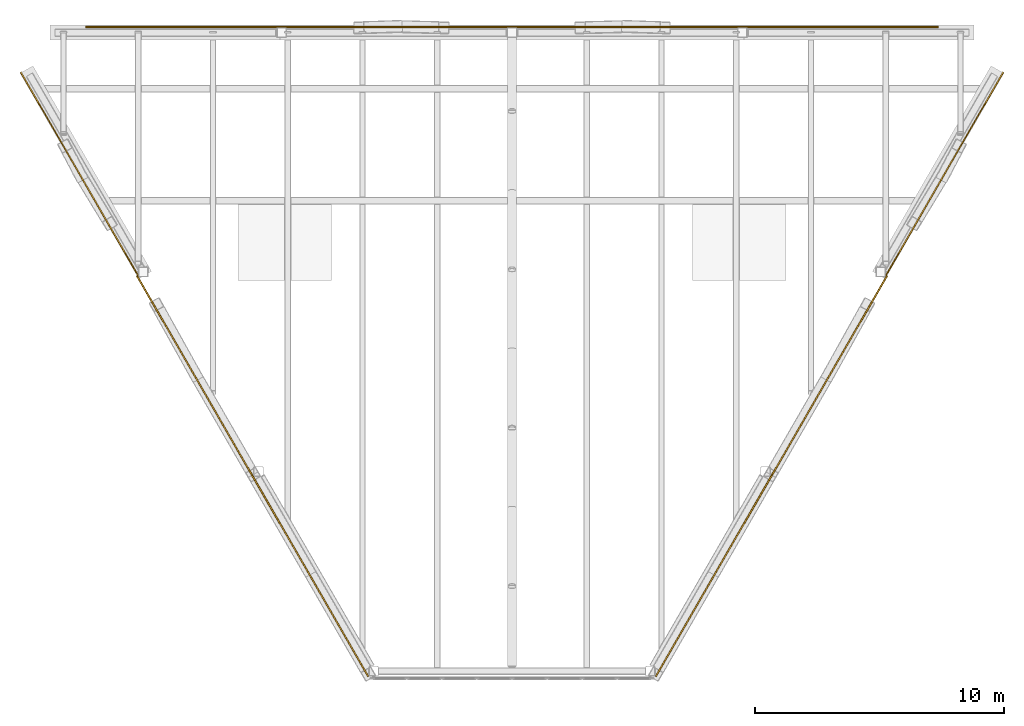
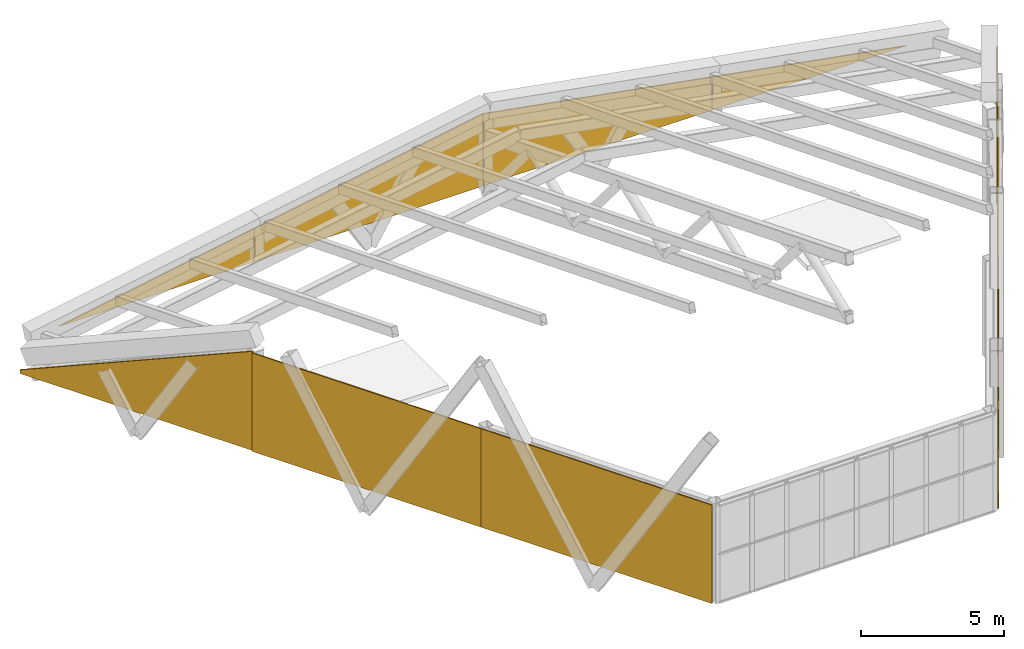
# One storey, part 6 of 6: 10 coverings.
"""IFC4 building model written with IfcOpenShell, lengths in metres."""

from ifc_helpers import new_model, si_unit, direction, frame, origin, place, context, subcontext, project, spatial, polyline, outline, extrude, material, layer, layer_set, type_object, element, save


model = new_model("IFC4")

# Units and contexts
model_context = context("Model", 3, precision=1e-05, world=origin(), true_north=direction((0.0, 1.0)))
body_context = subcontext(model_context, "Body", "Model", "MODEL_VIEW")
ifc_project = project(units=[si_unit("LENGTHUNIT", "METRE"), si_unit("AREAUNIT", "SQUARE_METRE"), si_unit("VOLUMEUNIT", "CUBIC_METRE"), si_unit("PLANEANGLEUNIT", "RADIAN"), si_unit("MASSUNIT", "GRAM", prefix="KILO")], contexts=[model_context])

# Site, building, storey
site_placement = place(None, origin())
site = spatial("IfcSite", under=ifc_project, at=site_placement, CompositionType="ELEMENT")
building_placement = place(site_placement, origin())
building = spatial("IfcBuilding", under=site, at=building_placement, Name="Aloe Facet Convention Tower", CompositionType="ELEMENT")
storey_placement = place(building_placement, frame((0.0, 0.0, 293.89990234375)))
storey = spatial("IfcBuildingStorey", under=building, at=storey_placement, Name="C3", CompositionType="ELEMENT", Elevation=293.89990234375)

# Coverings
ifc_material = material(Name="Perforated aluminium sheet, powder coated", Category="aluminium")
ifc_layer = layer(ifc_material, 0.050048828125)
ifc_layer_set = layer_set([ifc_layer], Name="EV-SCREEN-CROWN")
covering_type = type_object("IfcCoveringType", Name="EV-SCREEN-CROWN", PredefinedType="CLADDING", material=ifc_layer_set)
covering_1_placement = place(storey_placement, frame((97.10888671875, 135.0, 0.0), z_axis=(0.0, -1.0, 0.0), x_axis=(-0.984179275966, 0.0, 0.177175485772)))
element("IfcCovering", 1, at=covering_1_placement, inside=storey, type_object=covering_type, Name="SCREEN C3-N01", PredefinedType="CLADDING", context=body_context, shape_type="SweptSolid", body=[
    extrude(outline(polyline([(0.0, 0.0), (7.992164484999586, 2.220446049250313e-16), (7.7412812287793855, 1.3936132325693849), (0.0, 0.0)])), origin(), (0.0, 0.0, -1.0), 0.050048828125),
])
covering_2_placement = place(storey_placement, frame((89.2431640625, 135.0, 0.0), z_axis=(0.0, -1.0, 0.0), x_axis=(0.0, 0.0, 1.0)))
element("IfcCovering", 2, at=covering_2_placement, inside=storey, type_object=covering_type, Name="SCREEN C3-N02", PredefinedType="CLADDING", context=body_context, shape_type="SweptSolid", body=[
    extrude(outline(polyline([(0.0, 0.0), (1.416015625, 0.0), (3.07958984375, 9.2431640625), (0.0, 9.2431640625), (0.0, 0.0)])), origin(), (0.0, 0.0, -1.0), 0.050048828125),
])
covering_3_placement = place(storey_placement, frame((80.0, 135.0, 0.0), z_axis=(0.0, -1.0, 0.0), x_axis=(0.0, 0.0, 1.0)))
element("IfcCovering", 3, at=covering_3_placement, inside=storey, type_object=covering_type, Name="SCREEN C3-N03", PredefinedType="CLADDING", context=body_context, shape_type="SweptSolid", body=[
    extrude(outline(polyline([(0.0, 0.0), (3.07958984375, 0.0), (1.416015625, 9.2431640625), (0.0, 9.2431640625), (0.0, 0.0)])), origin(), (0.0, 0.0, -1.0), 0.050048828125),
])
covering_4_placement = place(storey_placement, frame((70.7568359375, 135.0, 0.0), z_axis=(0.0, -1.0, 0.0), x_axis=(0.0, 0.0, 1.0)))
element("IfcCovering", 4, at=covering_4_placement, inside=storey, type_object=covering_type, Name="SCREEN C3-N04", PredefinedType="CLADDING", context=body_context, shape_type="SweptSolid", body=[
    extrude(outline(polyline([(0.0, 0.0), (1.416015625, 0.0), (0.0, 7.86572265625), (0.0, 0.0)])), origin(), (0.0, 0.0, -1.0), 0.050048828125),
])
covering_5_placement = place(storey_placement, frame((60.271484375, 133.19482421875, 0.0), z_axis=(-0.866025777048, -0.499999353439, 6.992598e-06), x_axis=(6.05577e-06, 3.496294e-06, 0.999999999976)))
element("IfcCovering", 5, at=covering_5_placement, inside=storey, type_object=covering_type, Name="SCREEN C3-W06", PredefinedType="CLADDING", context=body_context, shape_type="SweptSolid", body=[
    extrude(outline(polyline([(0.0, 0.0), (0.15551757812119787, -6.586425627453483e-23), (4.200195312808061, -9.305574353845588), (4.200195312595083, -9.400842075176737), (1.977702797501793e-10, -9.400842075176737), (0.0, 0.0)])), origin(), (0.0, 0.0, -1.0), 0.050048828125),
])
covering_6_placement = place(storey_placement, frame((64.971923828125, 125.053466796875, 0.0), z_axis=(0.866027240882, 0.49999681804, 0.0), x_axis=(0.0, 0.0, 1.0)))
element("IfcCovering", 6, at=covering_6_placement, inside=storey, type_object=covering_type, Name="SCREEN C3-W07", PredefinedType="CLADDING", context=body_context, shape_type="SweptSolid", body=[
    extrude(outline(polyline([(0.0, 0.0), (4.2001953125, 0.0), (4.2001953125, 9.243222885629816), (0.0, 9.243222885629816), (0.0, 0.0)])), origin(), (0.0, 0.0, -1.0), 0.050048828125),
])
for number, where, z_axis, x_axis, name in (
    (7, (69.593505859375, 117.048583984375, 0.0), (0.866021935375, 0.500006007413, 0.0), (0.0, 0.0, 1.0), "SCREEN C3-W08"),
    (8, (85.748291015625, 108.98046875, 0.0), (-0.866021935375, 0.500006007413, 0.0), (0.0, 0.0, 1.0), "SCREEN C3-E10"),
):
    element("IfcCovering", number, at=place(storey_placement, frame(where, z_axis=z_axis, x_axis=x_axis)), inside=storey, type_object=covering_type, Name=name, PredefinedType="CLADDING", context=body_context, shape_type="SweptSolid", body=[
        extrude(outline(polyline([(0.0, 0.0), (4.2001953125, 0.0), (4.2001953125, 9.316294316353137), (0.0, 9.316294316353137), (0.0, 0.0)])), origin(), (0.0, 0.0, -1.0), 0.050048828125),
    ])
covering_7_placement = place(storey_placement, frame((90.406494140625, 117.048583984375, 0.0), z_axis=(-0.866027240882, 0.49999681804, 0.0), x_axis=(0.0, 0.0, 1.0)))
element("IfcCovering", 9, at=covering_7_placement, inside=storey, type_object=covering_type, Name="SCREEN C3-E11", PredefinedType="CLADDING", context=body_context, shape_type="SweptSolid", body=[
    extrude(outline(polyline([(0.0, 0.0), (4.2001953125, 0.0), (4.2001953125, 9.243222885629816), (0.0, 9.243222885629816), (0.0, 0.0)])), origin(), (0.0, 0.0, -1.0), 0.050048828125),
])
covering_8_placement = place(storey_placement, frame((95.028076171875, 125.053466796875, 0.0), z_axis=(0.866025777048, -0.499999353439, 6.992598e-06), x_axis=(-6.05577e-06, 3.496294e-06, 0.999999999976)))
element("IfcCovering", 10, at=covering_8_placement, inside=storey, type_object=covering_type, Name="SCREEN C3-E12", PredefinedType="CLADDING", context=body_context, shape_type="SweptSolid", body=[
    extrude(outline(polyline([(0.0, 0.0), (4.200195312397312, 1.778851907295286e-21), (4.200195312610291, -0.09526772133114923), (0.1555175779234276, -9.400842075176737), (-1.977702797501793e-10, -9.400842075176737), (0.0, 0.0)])), origin(), (0.0, 0.0, -1.0), 0.050048828125),
])

save(model, "model.ifc")
